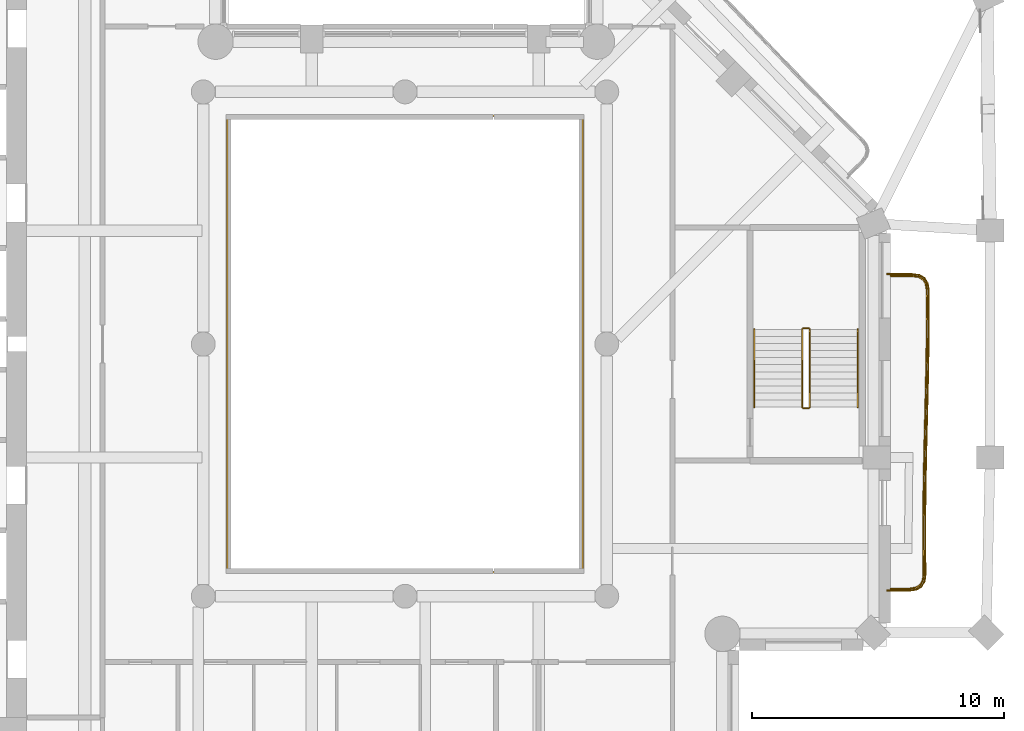
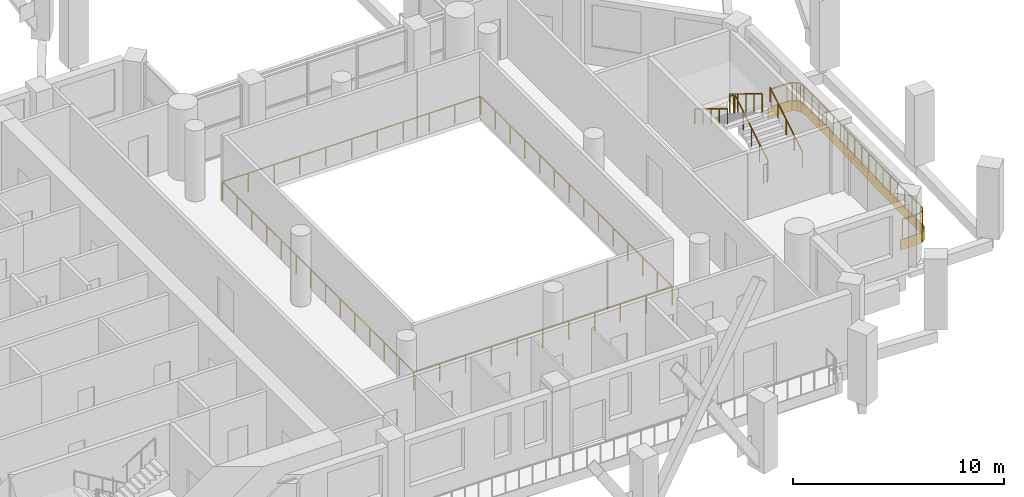
# One storey, part 13 of 15: 8 railings, 1 covering.
"""IFC4 building model written with IfcOpenShell, lengths in metres."""

from ifc_helpers import new_model, si_unit, direction, frame, origin, origin_2d, place, context, subcontext, project, spatial, polyline, rectangle, outline, extrude, material, layer, layer_set, type_object, element, save


model = new_model("IFC4")

# Units and contexts
model_context = context("Model", 3, precision=1e-05, world=origin(), true_north=direction((0.0, 1.0)))
body_context = subcontext(model_context, "Body", "Model", "MODEL_VIEW")
ifc_project = project(units=[si_unit("LENGTHUNIT", "METRE"), si_unit("AREAUNIT", "SQUARE_METRE"), si_unit("VOLUMEUNIT", "CUBIC_METRE"), si_unit("PLANEANGLEUNIT", "RADIAN"), si_unit("MASSUNIT", "GRAM", prefix="KILO")], contexts=[model_context])

# Site, building, storey
site_placement = place(None, origin())
site = spatial("IfcSite", under=ifc_project, at=site_placement, CompositionType="ELEMENT")
building_placement = place(site_placement, origin())
building = spatial("IfcBuilding", under=site, at=building_placement, Name="Cypress Arch Tower", CompositionType="ELEMENT")
storey_placement = place(building_placement, frame((0.0, 0.0, 205.60009765625)))
storey = spatial("IfcBuildingStorey", under=building, at=storey_placement, Name="L45", CompositionType="ELEMENT", Elevation=205.60009765625)

# Railing
ifc_material_1 = material(Name="Stainless steel posts and handrail, laminated glass infill", Category="steel")
railing_type_1 = type_object("IfcRailingType", Name="Atrium guard GR1100A", PredefinedType="GUARDRAIL", material=ifc_material_1)
railing_1_placement = place(storey_placement, frame((8.050048828125, -9.050048828125, 0.0)))
element("IfcRailing", 1, at=railing_1_placement, inside=storey, type_object=railing_type_1, Name="Atrium guard L45", PredefinedType="GUARDRAIL", context=body_context, shape_type="SweptSolid", body=[
    extrude(rectangle(XDim=0.050048828125, YDim=0.050048828125, at=origin_2d()), frame((0.0, 0.0, 1.0751953125), z_axis=(-1.0, 0.0, 0.0), x_axis=(0.0, -1.0, 0.0)), (0.0, 0.0, 1.0), 14.10009765625),
    extrude(rectangle(XDim=0.050048828125, YDim=0.050048828125, at=origin_2d()), frame((-14.10009765625, 0.0, 1.0751953125), z_axis=(0.0, 1.0, 0.0), x_axis=(-1.0, 0.0, 0.0)), (0.0, 0.0, 1.0), 18.10009765625),
    extrude(rectangle(XDim=0.050048828125, YDim=0.050048828125, at=origin_2d()), frame((-14.10009765625, 18.10009765625, 1.0751953125), z_axis=(1.0, 0.0, 0.0), x_axis=(0.0, 1.0, 0.0)), (0.0, 0.0, 1.0), 14.10009765625),
    extrude(rectangle(XDim=0.050048828125, YDim=0.050048828125, at=origin_2d()), frame((0.0, 18.10009765625, 1.0751953125), z_axis=(0.0, -1.0, 0.0), x_axis=(1.0, 0.0, 0.0)), (0.0, 0.0, 1.0), 18.10009765625),
    extrude(rectangle(XDim=0.050048828125, YDim=0.050048828125, at=origin_2d()), origin(), (0.0, 0.0, 1.0), 1.050048828125),
    extrude(rectangle(XDim=0.050048828125, YDim=0.050048828125, at=origin_2d()), frame((-1.409912109375, 0.0, 0.0)), (0.0, 0.0, 1.0), 1.050048828125),
    extrude(rectangle(XDim=0.050048828125, YDim=0.050048828125, at=origin_2d()), frame((-2.820068359375, 0.0, 0.0)), (0.0, 0.0, 1.0), 1.050048828125),
    extrude(rectangle(XDim=0.050048828125, YDim=0.050048828125, at=origin_2d()), frame((-4.22998046875, 0.0, 0.0)), (0.0, 0.0, 1.0), 1.050048828125),
    extrude(rectangle(XDim=0.050048828125, YDim=0.050048828125, at=origin_2d()), frame((-5.64013671875, 0.0, 0.0)), (0.0, 0.0, 1.0), 1.050048828125),
    extrude(rectangle(XDim=0.050048828125, YDim=0.050048828125, at=origin_2d()), frame((-7.050048828125, 0.0, 0.0)), (0.0, 0.0, 1.0), 1.050048828125),
    extrude(rectangle(XDim=0.050048828125, YDim=0.050048828125, at=origin_2d()), frame((-8.4599609375, 0.0, 0.0)), (0.0, 0.0, 1.0), 1.050048828125),
    extrude(rectangle(XDim=0.050048828125, YDim=0.050048828125, at=origin_2d()), frame((-9.8701171875, 0.0, 0.0)), (0.0, 0.0, 1.0), 1.050048828125),
    extrude(rectangle(XDim=0.050048828125, YDim=0.050048828125, at=origin_2d()), frame((-11.280029296875, 0.0, 0.0)), (0.0, 0.0, 1.0), 1.050048828125),
    extrude(rectangle(XDim=0.050048828125, YDim=0.050048828125, at=origin_2d()), frame((-12.690185546875, 0.0, 0.0)), (0.0, 0.0, 1.0), 1.050048828125),
    extrude(rectangle(XDim=0.050048828125, YDim=0.050048828125, at=origin_2d()), frame((-14.10009765625, 0.0, 0.0)), (0.0, 0.0, 1.0), 1.050048828125),
    extrude(rectangle(XDim=0.050048828125, YDim=0.050048828125, at=origin_2d()), frame((-14.10009765625, 1.392333984375, 0.0)), (0.0, 0.0, 1.0), 1.050048828125),
    extrude(rectangle(XDim=0.050048828125, YDim=0.050048828125, at=origin_2d()), frame((-14.10009765625, 2.78466796875, 0.0)), (0.0, 0.0, 1.0), 1.050048828125),
    extrude(rectangle(XDim=0.050048828125, YDim=0.050048828125, at=origin_2d()), frame((-14.10009765625, 4.177001953125, 0.0)), (0.0, 0.0, 1.0), 1.050048828125),
    extrude(rectangle(XDim=0.050048828125, YDim=0.050048828125, at=origin_2d()), frame((-14.10009765625, 5.5693359375, 0.0)), (0.0, 0.0, 1.0), 1.050048828125),
    extrude(rectangle(XDim=0.050048828125, YDim=0.050048828125, at=origin_2d()), frame((-14.10009765625, 6.961669921875, 0.0)), (0.0, 0.0, 1.0), 1.050048828125),
    extrude(rectangle(XDim=0.050048828125, YDim=0.050048828125, at=origin_2d()), frame((-14.10009765625, 8.35400390625, 0.0)), (0.0, 0.0, 1.0), 1.050048828125),
    extrude(rectangle(XDim=0.050048828125, YDim=0.050048828125, at=origin_2d()), frame((-14.10009765625, 9.74609375, 0.0)), (0.0, 0.0, 1.0), 1.050048828125),
    extrude(rectangle(XDim=0.050048828125, YDim=0.050048828125, at=origin_2d()), frame((-14.10009765625, 11.138427734375, 0.0)), (0.0, 0.0, 1.0), 1.050048828125),
    extrude(rectangle(XDim=0.050048828125, YDim=0.050048828125, at=origin_2d()), frame((-14.10009765625, 12.53076171875, 0.0)), (0.0, 0.0, 1.0), 1.050048828125),
    extrude(rectangle(XDim=0.050048828125, YDim=0.050048828125, at=origin_2d()), frame((-14.10009765625, 13.923095703125, 0.0)), (0.0, 0.0, 1.0), 1.050048828125),
    extrude(rectangle(XDim=0.050048828125, YDim=0.050048828125, at=origin_2d()), frame((-14.10009765625, 15.3154296875, 0.0)), (0.0, 0.0, 1.0), 1.050048828125),
    extrude(rectangle(XDim=0.050048828125, YDim=0.050048828125, at=origin_2d()), frame((-14.10009765625, 16.707763671875, 0.0)), (0.0, 0.0, 1.0), 1.050048828125),
    extrude(rectangle(XDim=0.050048828125, YDim=0.050048828125, at=origin_2d()), frame((-14.10009765625, 18.10009765625, 0.0)), (0.0, 0.0, 1.0), 1.050048828125),
    extrude(rectangle(XDim=0.050048828125, YDim=0.050048828125, at=origin_2d()), frame((-12.690185546875, 18.10009765625, 0.0)), (0.0, 0.0, 1.0), 1.050048828125),
    extrude(rectangle(XDim=0.050048828125, YDim=0.050048828125, at=origin_2d()), frame((-11.280029296875, 18.10009765625, 0.0)), (0.0, 0.0, 1.0), 1.050048828125),
    extrude(rectangle(XDim=0.050048828125, YDim=0.050048828125, at=origin_2d()), frame((-9.8701171875, 18.10009765625, 0.0)), (0.0, 0.0, 1.0), 1.050048828125),
    extrude(rectangle(XDim=0.050048828125, YDim=0.050048828125, at=origin_2d()), frame((-8.4599609375, 18.10009765625, 0.0)), (0.0, 0.0, 1.0), 1.050048828125),
    extrude(rectangle(XDim=0.050048828125, YDim=0.050048828125, at=origin_2d()), frame((-7.050048828125, 18.10009765625, 0.0)), (0.0, 0.0, 1.0), 1.050048828125),
    extrude(rectangle(XDim=0.050048828125, YDim=0.050048828125, at=origin_2d()), frame((-5.64013671875, 18.10009765625, 0.0)), (0.0, 0.0, 1.0), 1.050048828125),
    extrude(rectangle(XDim=0.050048828125, YDim=0.050048828125, at=origin_2d()), frame((-4.22998046875, 18.10009765625, 0.0)), (0.0, 0.0, 1.0), 1.050048828125),
    extrude(rectangle(XDim=0.050048828125, YDim=0.050048828125, at=origin_2d()), frame((-2.820068359375, 18.10009765625, 0.0)), (0.0, 0.0, 1.0), 1.050048828125),
    extrude(rectangle(XDim=0.050048828125, YDim=0.050048828125, at=origin_2d()), frame((-1.409912109375, 18.10009765625, 0.0)), (0.0, 0.0, 1.0), 1.050048828125),
    extrude(rectangle(XDim=0.050048828125, YDim=0.050048828125, at=origin_2d()), frame((0.0, 18.10009765625, 0.0)), (0.0, 0.0, 1.0), 1.050048828125),
    extrude(rectangle(XDim=0.050048828125, YDim=0.050048828125, at=origin_2d()), frame((0.0, 16.707763671875, 0.0)), (0.0, 0.0, 1.0), 1.050048828125),
    extrude(rectangle(XDim=0.050048828125, YDim=0.050048828125, at=origin_2d()), frame((0.0, 15.3154296875, 0.0)), (0.0, 0.0, 1.0), 1.050048828125),
    extrude(rectangle(XDim=0.050048828125, YDim=0.050048828125, at=origin_2d()), frame((0.0, 13.923095703125, 0.0)), (0.0, 0.0, 1.0), 1.050048828125),
    extrude(rectangle(XDim=0.050048828125, YDim=0.050048828125, at=origin_2d()), frame((0.0, 12.53076171875, 0.0)), (0.0, 0.0, 1.0), 1.050048828125),
    extrude(rectangle(XDim=0.050048828125, YDim=0.050048828125, at=origin_2d()), frame((0.0, 11.138427734375, 0.0)), (0.0, 0.0, 1.0), 1.050048828125),
    extrude(rectangle(XDim=0.050048828125, YDim=0.050048828125, at=origin_2d()), frame((0.0, 9.74609375, 0.0)), (0.0, 0.0, 1.0), 1.050048828125),
    extrude(rectangle(XDim=0.050048828125, YDim=0.050048828125, at=origin_2d()), frame((0.0, 8.35400390625, 0.0)), (0.0, 0.0, 1.0), 1.050048828125),
    extrude(rectangle(XDim=0.050048828125, YDim=0.050048828125, at=origin_2d()), frame((0.0, 6.961669921875, 0.0)), (0.0, 0.0, 1.0), 1.050048828125),
    extrude(rectangle(XDim=0.050048828125, YDim=0.050048828125, at=origin_2d()), frame((0.0, 5.5693359375, 0.0)), (0.0, 0.0, 1.0), 1.050048828125),
    extrude(rectangle(XDim=0.050048828125, YDim=0.050048828125, at=origin_2d()), frame((0.0, 4.177001953125, 0.0)), (0.0, 0.0, 1.0), 1.050048828125),
    extrude(rectangle(XDim=0.050048828125, YDim=0.050048828125, at=origin_2d()), frame((0.0, 2.78466796875, 0.0)), (0.0, 0.0, 1.0), 1.050048828125),
    extrude(rectangle(XDim=0.050048828125, YDim=0.050048828125, at=origin_2d()), frame((0.0, 1.392333984375, 0.0)), (0.0, 0.0, 1.0), 1.050048828125),
])

# Covering
ifc_material_2 = material(Name="White powder-coated aluminium fascia", Category="aluminium")
ifc_layer = layer(ifc_material_2, 0.050048828125)
ifc_layer_set = layer_set([ifc_layer], Name="Balcony fascia BF50")
covering_type = type_object("IfcCoveringType", Name="Balcony fascia BF50", PredefinedType="CLADDING", material=ifc_layer_set)
covering_placement = place(storey_placement, frame((0.0, 0.0, -0.60009765625)))
element("IfcCovering", 2, at=covering_placement, inside=storey, type_object=covering_type, Name="Balcony fascia L45-B04", PredefinedType="CLADDING", context=body_context, shape_type="SweptSolid", body=[
    extrude(outline(polyline([(21.116455078125, 2.800048828125), (21.403564453125, 2.759033203125), (21.61865234375, 2.63037109375), (21.74853515625, 2.415771484375), (21.790771484375, 2.12890625), (21.79443359375, 1.361083984375), (21.78466796875, -0.0283203125), (21.76025390625, -1.417724609375), (21.727294921875, -2.806884765625), (21.693115234375, -4.195556640625), (21.66552734375, -5.583984375), (21.651123046875, -6.972412109375), (21.6533203125, -8.36083984375), (21.6630859375, -9.1279296875), (21.625732421875, -9.4150390625), (21.49951171875, -9.6298828125), (21.2861328125, -9.759033203125), (20.999755859375, -9.800048828125), (20.10107421875, -9.800048828125), (20.10107421875, -9.75), (20.99609375, -9.75), (21.26904296875, -9.7109375), (21.462890625, -9.59375), (21.57763671875, -9.3984375), (21.613037109375, -9.125), (21.603271484375, -8.361083984375), (21.601318359375, -6.97216796875), (21.615478515625, -5.583251953125), (21.64306640625, -4.1943359375), (21.67724609375, -2.8056640625), (21.710205078125, -1.416748046875), (21.734619140625, -0.02783203125), (21.74462890625, 1.361083984375), (21.740966796875, 2.125), (21.700439453125, 2.3984375), (21.582275390625, 2.59375), (21.386474609375, 2.7109375), (21.11279296875, 2.75), (20.10107421875, 2.75), (20.10107421875, 2.800048828125), (21.116455078125, 2.800048828125)])), origin(), (0.0, 0.0, 1.0), 0.60009765625),
])

# Railings
ifc_material_3 = material(Name="Powder-coated steel posts and rods, 100 mm clear between rods", Category="steel")
railing_type_2 = type_object("IfcRailingType", Name="Balcony guard GR1100", PredefinedType="GUARDRAIL", material=ifc_material_3)
railing_2_placement = place(storey_placement, frame((20.25, 2.699951171875, 0.0)))
element("IfcRailing", 3, at=railing_2_placement, inside=storey, type_object=railing_type_2, Name="Balcony guard L45-B04", PredefinedType="GUARDRAIL", context=body_context, shape_type="SweptSolid", body=[
    extrude(rectangle(XDim=0.050048828125, YDim=0.050048828125, at=origin_2d()), frame((0.0, 0.0, 1.0751953125), z_axis=(1.0, 0.0, 0.0), x_axis=(0.0, 1.0, 0.0)), (0.0, 0.0, 1.0), 0.859375),
    extrude(rectangle(XDim=0.050048828125, YDim=0.050048828125, at=origin_2d()), frame((0.859375, 0.0, 1.0751953125), z_axis=(0.989968076057, -0.141291218367, 0.0), x_axis=(0.141291218367, 0.989968076057, 0.0)), (0.0, 0.0, 1.0), 0.2626953125),
    extrude(rectangle(XDim=0.050048828125, YDim=0.050048828125, at=origin_2d()), frame((1.119384765625, -0.037109375, 1.0751953125), z_axis=(0.857911441451, -0.513797585268, 0.0), x_axis=(0.513797585268, 0.857911441451, 0.0)), (0.0, 0.0, 1.0), 0.205810546875),
    extrude(rectangle(XDim=0.050048828125, YDim=0.050048828125, at=origin_2d()), frame((1.2958984375, -0.142822265625, 1.0751953125), z_axis=(0.518328002936, -0.855181899582, 0.0), x_axis=(0.855181899582, 0.518328002936, 0.0)), (0.0, 0.0, 1.0), 0.205810546875),
    extrude(rectangle(XDim=0.050048828125, YDim=0.050048828125, at=origin_2d()), frame((1.402587890625, -0.31884765625, 1.0751953125), z_axis=(0.145841641141, -0.989307947865, 0.0), x_axis=(0.989307947865, 0.145841641141, 0.0)), (0.0, 0.0, 1.0), 0.262939453125),
    extrude(rectangle(XDim=0.050048828125, YDim=0.050048828125, at=origin_2d()), frame((1.44091796875, -0.578857421875, 1.0751953125), z_axis=(0.004818447115, -0.999988391216, 0.0), x_axis=(0.999988391216, 0.004818447115, 0.0)), (0.0, 0.0, 1.0), 0.760009765625),
    extrude(rectangle(XDim=0.050048828125, YDim=0.050048828125, at=origin_2d()), frame((1.444580078125, -1.3388671875, 1.0751953125), z_axis=(-0.007210505481, -0.999974003967, 0.0), x_axis=(0.999974003967, -0.007210505481, 0.0)), (0.0, 0.0, 1.0), 1.38818359375),
    extrude(rectangle(XDim=0.050048828125, YDim=0.050048828125, at=origin_2d()), frame((1.4345703125, -2.72705078125, 1.0751953125), z_axis=(-0.017405486687, -0.999848513042, 0.0), x_axis=(0.999848513042, -0.017405486687, 0.0)), (0.0, 0.0, 1.0), 1.388671875),
    extrude(rectangle(XDim=0.050048828125, YDim=0.050048828125, at=origin_2d()), frame((1.410400390625, -4.115478515625, 1.0751953125), z_axis=(-0.023898955101, -0.999714379183, 0.0), x_axis=(0.999714379183, -0.023898955101, 0.0)), (0.0, 0.0, 1.0), 1.389404296875),
    extrude(rectangle(XDim=0.050048828125, YDim=0.050048828125, at=origin_2d()), frame((1.377197265625, -5.50439453125, 1.0751953125), z_axis=(-0.024601446196, -0.999697338621, 0.0), x_axis=(0.999697338621, -0.024601446196, 0.0)), (0.0, 0.0, 1.0), 1.389404296875),
    extrude(rectangle(XDim=0.050048828125, YDim=0.050048828125, at=origin_2d()), frame((1.343017578125, -6.893310546875, 1.0751953125), z_axis=(-0.019679843464, -0.999806333127, 0.0), x_axis=(0.999806333127, -0.019679843464, 0.0)), (0.0, 0.0, 1.0), 1.389404296875),
    extrude(rectangle(XDim=0.050048828125, YDim=0.050048828125, at=origin_2d()), frame((1.315673828125, -8.282470703125, 1.0751953125), z_axis=(-0.01036668944, -0.999946264431, 0.0), x_axis=(0.999946264431, -0.01036668944, 0.0)), (0.0, 0.0, 1.0), 1.389404296875),
    extrude(rectangle(XDim=0.050048828125, YDim=0.050048828125, at=origin_2d()), frame((1.30126953125, -9.671875, 1.0751953125), z_axis=(0.001405479989, -0.999999012313, 0.0), x_axis=(0.999999012313, 0.001405479989, 0.0)), (0.0, 0.0, 1.0), 1.3896484375),
    extrude(rectangle(XDim=0.050048828125, YDim=0.050048828125, at=origin_2d()), frame((1.30322265625, -11.0615234375, 1.0751953125), z_axis=(0.012840032917, -0.999917563379, 0.0), x_axis=(0.999917563379, 0.012840032917, 0.0)), (0.0, 0.0, 1.0), 0.760498046875),
    extrude(rectangle(XDim=0.050048828125, YDim=0.050048828125, at=origin_2d()), frame((1.31298828125, -11.822021484375, 1.0751953125), z_axis=(-0.128621927591, -0.991693702583, 0.0), x_axis=(0.991693702583, -0.128621927591, 0.0)), (0.0, 0.0, 1.0), 0.261962890625),
    extrude(rectangle(XDim=0.050048828125, YDim=0.050048828125, at=origin_2d()), frame((1.279296875, -12.081787109375, 1.0751953125), z_axis=(-0.505657995756, -0.862734021195, 0.0), x_axis=(0.862734021195, -0.505657995756, 0.0)), (0.0, 0.0, 1.0), 0.203857421875),
    extrude(rectangle(XDim=0.050048828125, YDim=0.050048828125, at=origin_2d()), frame((1.17626953125, -12.257568359375, 1.0751953125), z_axis=(-0.856114492497, -0.516786199252, 0.0), x_axis=(0.516786199252, -0.856114492497, 0.0)), (0.0, 0.0, 1.0), 0.20361328125),
    extrude(rectangle(XDim=0.050048828125, YDim=0.050048828125, at=origin_2d()), frame((1.001953125, -12.36279296875, 1.0751953125), z_axis=(-0.989912174429, -0.141682345116, 0.0), x_axis=(0.141682345116, -0.989912174429, 0.0)), (0.0, 0.0, 1.0), 0.261962890625),
    extrude(rectangle(XDim=0.050048828125, YDim=0.050048828125, at=origin_2d()), frame((0.74267578125, -12.39990234375, 1.0751953125), z_axis=(-1.0, 0.0, 0.0), x_axis=(0.0, -1.0, 0.0)), (0.0, 0.0, 1.0), 0.74267578125),
    extrude(rectangle(XDim=0.0400390625, YDim=0.0400390625, at=origin_2d()), origin(), (0.0, 0.0, 1.0), 1.050048828125),
    extrude(rectangle(XDim=0.0400390625, YDim=0.0400390625, at=origin_2d()), frame((0.859375, 0.0, 0.0)), (0.0, 0.0, 1.0), 1.050048828125),
    extrude(rectangle(XDim=0.0400390625, YDim=0.0400390625, at=origin_2d()), frame((1.119384765625, -0.037109375, 0.0)), (0.0, 0.0, 1.0), 1.050048828125),
    extrude(rectangle(XDim=0.0400390625, YDim=0.0400390625, at=origin_2d()), frame((1.2958984375, -0.142822265625, 0.0)), (0.0, 0.0, 1.0), 1.050048828125),
    extrude(rectangle(XDim=0.0400390625, YDim=0.0400390625, at=origin_2d()), frame((1.402587890625, -0.31884765625, 0.0)), (0.0, 0.0, 1.0), 1.050048828125),
    extrude(rectangle(XDim=0.0400390625, YDim=0.0400390625, at=origin_2d()), frame((1.44091796875, -0.578857421875, 0.0)), (0.0, 0.0, 1.0), 1.050048828125),
    extrude(rectangle(XDim=0.0400390625, YDim=0.0400390625, at=origin_2d()), frame((1.444580078125, -1.3388671875, 0.0)), (0.0, 0.0, 1.0), 1.050048828125),
    extrude(rectangle(XDim=0.0400390625, YDim=0.0400390625, at=origin_2d()), frame((1.439453125, -2.032958984375, 0.0)), (0.0, 0.0, 1.0), 1.050048828125),
    extrude(rectangle(XDim=0.0400390625, YDim=0.0400390625, at=origin_2d()), frame((1.4345703125, -2.72705078125, 0.0)), (0.0, 0.0, 1.0), 1.050048828125),
    extrude(rectangle(XDim=0.0400390625, YDim=0.0400390625, at=origin_2d()), frame((1.42236328125, -3.42138671875, 0.0)), (0.0, 0.0, 1.0), 1.050048828125),
    extrude(rectangle(XDim=0.0400390625, YDim=0.0400390625, at=origin_2d()), frame((1.410400390625, -4.115478515625, 0.0)), (0.0, 0.0, 1.0), 1.050048828125),
    extrude(rectangle(XDim=0.0400390625, YDim=0.0400390625, at=origin_2d()), frame((1.393798828125, -4.81005859375, 0.0)), (0.0, 0.0, 1.0), 1.050048828125),
    extrude(rectangle(XDim=0.0400390625, YDim=0.0400390625, at=origin_2d()), frame((1.377197265625, -5.50439453125, 0.0)), (0.0, 0.0, 1.0), 1.050048828125),
    extrude(rectangle(XDim=0.0400390625, YDim=0.0400390625, at=origin_2d()), frame((1.360107421875, -6.19873046875, 0.0)), (0.0, 0.0, 1.0), 1.050048828125),
    extrude(rectangle(XDim=0.0400390625, YDim=0.0400390625, at=origin_2d()), frame((1.343017578125, -6.893310546875, 0.0)), (0.0, 0.0, 1.0), 1.050048828125),
    extrude(rectangle(XDim=0.0400390625, YDim=0.0400390625, at=origin_2d()), frame((1.329345703125, -7.587890625, 0.0)), (0.0, 0.0, 1.0), 1.050048828125),
    extrude(rectangle(XDim=0.0400390625, YDim=0.0400390625, at=origin_2d()), frame((1.315673828125, -8.282470703125, 0.0)), (0.0, 0.0, 1.0), 1.050048828125),
    extrude(rectangle(XDim=0.0400390625, YDim=0.0400390625, at=origin_2d()), frame((1.30859375, -8.97705078125, 0.0)), (0.0, 0.0, 1.0), 1.050048828125),
    extrude(rectangle(XDim=0.0400390625, YDim=0.0400390625, at=origin_2d()), frame((1.30126953125, -9.671875, 0.0)), (0.0, 0.0, 1.0), 1.050048828125),
    extrude(rectangle(XDim=0.0400390625, YDim=0.0400390625, at=origin_2d()), frame((1.30224609375, -10.36669921875, 0.0)), (0.0, 0.0, 1.0), 1.050048828125),
    extrude(rectangle(XDim=0.0400390625, YDim=0.0400390625, at=origin_2d()), frame((1.30322265625, -11.0615234375, 0.0)), (0.0, 0.0, 1.0), 1.050048828125),
    extrude(rectangle(XDim=0.0400390625, YDim=0.0400390625, at=origin_2d()), frame((1.31298828125, -11.822021484375, 0.0)), (0.0, 0.0, 1.0), 1.050048828125),
    extrude(rectangle(XDim=0.0400390625, YDim=0.0400390625, at=origin_2d()), frame((1.279296875, -12.081787109375, 0.0)), (0.0, 0.0, 1.0), 1.050048828125),
    extrude(rectangle(XDim=0.0400390625, YDim=0.0400390625, at=origin_2d()), frame((1.17626953125, -12.257568359375, 0.0)), (0.0, 0.0, 1.0), 1.050048828125),
    extrude(rectangle(XDim=0.0400390625, YDim=0.0400390625, at=origin_2d()), frame((1.001953125, -12.36279296875, 0.0)), (0.0, 0.0, 1.0), 1.050048828125),
    extrude(rectangle(XDim=0.0400390625, YDim=0.0400390625, at=origin_2d()), frame((0.74267578125, -12.39990234375, 0.0)), (0.0, 0.0, 1.0), 1.050048828125),
    extrude(rectangle(XDim=0.0400390625, YDim=0.0400390625, at=origin_2d()), frame((0.0, -12.39990234375, 0.0)), (0.0, 0.0, 1.0), 1.050048828125),
])
ifc_material_4 = material(Name="Black powder-coated steel square bar 48 mm", Category="steel")
railing_type_3 = type_object("IfcRailingType", Name="Stair handrail HR1", PredefinedType="HANDRAIL", material=ifc_material_4)
railing_3_placement = place(storey_placement, frame((18.949951171875, -2.5, 0.170654296875)))
element("IfcRailing", 4, at=railing_3_placement, inside=storey, type_object=railing_type_3, Name="L45 C stair handrail 1", PredefinedType="HANDRAIL", context=body_context, shape_type="SweptSolid", body=[
    extrude(rectangle(XDim=0.048095703125, YDim=0.048095703125, at=origin_2d()), frame((0.0, 0.0, 0.8759765625), z_axis=(0.0, 0.853666305674, 0.52082035152), x_axis=(-1.0, 0.0, 0.0)), (0.0, 0.0, 1.0), 3.608154296875),
    extrude(rectangle(XDim=0.0419921875, YDim=0.0419921875, at=origin_2d()), origin(), (0.0, 0.0, 1.0), 0.851806640625),
    extrude(rectangle(XDim=0.0419921875, YDim=0.0419921875, at=origin_2d()), frame((0.0, 0.77001953125, 0.4697265625)), (0.0, 0.0, 1.0), 0.851806640625),
    extrude(rectangle(XDim=0.0419921875, YDim=0.0419921875, at=origin_2d()), frame((0.0, 1.5400390625, 0.939453125)), (0.0, 0.0, 1.0), 0.851806640625),
    extrude(rectangle(XDim=0.0419921875, YDim=0.0419921875, at=origin_2d()), frame((0.0, 2.31005859375, 1.409423828125)), (0.0, 0.0, 1.0), 0.851806640625),
    extrude(rectangle(XDim=0.0419921875, YDim=0.0419921875, at=origin_2d()), frame((0.0, 3.080078125, 1.879150390625)), (0.0, 0.0, 1.0), 0.851806640625),
])
railing_4_placement = place(storey_placement, frame((14.85009765625, 0.580078125, 2.220703125)))
element("IfcRailing", 5, at=railing_4_placement, inside=storey, type_object=railing_type_3, Name="L45 C stair handrail 2", PredefinedType="HANDRAIL", context=body_context, shape_type="SweptSolid", body=[
    extrude(rectangle(XDim=0.048095703125, YDim=0.048095703125, at=origin_2d()), frame((0.0, 0.0, 0.8759765625), z_axis=(0.0, -0.853666305674, 0.52082035152), x_axis=(1.0, 0.0, 0.0)), (0.0, 0.0, 1.0), 3.608154296875),
    extrude(rectangle(XDim=0.0419921875, YDim=0.0419921875, at=origin_2d()), origin(), (0.0, 0.0, 1.0), 0.851806640625),
    extrude(rectangle(XDim=0.0419921875, YDim=0.0419921875, at=origin_2d()), frame((0.0, -0.77001953125, 0.4697265625)), (0.0, 0.0, 1.0), 0.851806640625),
    extrude(rectangle(XDim=0.0419921875, YDim=0.0419921875, at=origin_2d()), frame((0.0, -1.5400390625, 0.939453125)), (0.0, 0.0, 1.0), 0.851806640625),
    extrude(rectangle(XDim=0.0419921875, YDim=0.0419921875, at=origin_2d()), frame((0.0, -2.31005859375, 1.409423828125)), (0.0, 0.0, 1.0), 0.851806640625),
    extrude(rectangle(XDim=0.0419921875, YDim=0.0419921875, at=origin_2d()), frame((0.0, -3.080078125, 1.879150390625)), (0.0, 0.0, 1.0), 0.851806640625),
])
ifc_material_5 = material(Name="Black powder-coated steel balusters", Category="steel")
railing_type_4 = type_object("IfcRailingType", Name="Stair well guard G1", PredefinedType="GUARDRAIL", material=ifc_material_5)
railing_5_placement = place(storey_placement, frame((17.050048828125, -2.5, 0.170654296875)))
element("IfcRailing", 6, at=railing_5_placement, inside=storey, type_object=railing_type_4, Name="L45 C stair guard 1", PredefinedType="GUARDRAIL", context=body_context, shape_type="SweptSolid", body=[
    extrude(rectangle(XDim=0.048095703125, YDim=0.048095703125, at=origin_2d()), frame((0.0, 0.0, 1.076171875), z_axis=(0.0, 0.853666305674, 0.52082035152), x_axis=(-1.0, 0.0, 0.0)), (0.0, 0.0, 1.0), 3.608154296875),
    extrude(rectangle(XDim=0.0419921875, YDim=0.0419921875, at=origin_2d()), origin(), (0.0, 0.0, 1.0), 1.052001953125),
    extrude(rectangle(XDim=0.0419921875, YDim=0.0419921875, at=origin_2d()), frame((0.0, 0.77001953125, 0.4697265625)), (0.0, 0.0, 1.0), 1.052001953125),
    extrude(rectangle(XDim=0.0419921875, YDim=0.0419921875, at=origin_2d()), frame((0.0, 1.5400390625, 0.939453125)), (0.0, 0.0, 1.0), 1.052001953125),
    extrude(rectangle(XDim=0.0419921875, YDim=0.0419921875, at=origin_2d()), frame((0.0, 2.31005859375, 1.409423828125)), (0.0, 0.0, 1.0), 1.052001953125),
    extrude(rectangle(XDim=0.0419921875, YDim=0.0419921875, at=origin_2d()), frame((0.0, 3.080078125, 1.879150390625)), (0.0, 0.0, 1.0), 1.052001953125),
])
railing_6_placement = place(storey_placement, frame((17.0, 0.6298828125, 2.0498046875)))
element("IfcRailing", 7, at=railing_6_placement, inside=storey, type_object=railing_type_4, Name="L45 C stair guard 2", PredefinedType="GUARDRAIL", context=body_context, shape_type="SweptSolid", body=[
    extrude(rectangle(XDim=0.048095703125, YDim=0.048095703125, at=origin_2d()), frame((0.0, 0.0, 1.076171875), z_axis=(-1.0, 0.0, 0.0), x_axis=(0.0, -1.0, 0.0)), (0.0, 0.0, 1.0), 0.199951171875),
    extrude(rectangle(XDim=0.0419921875, YDim=0.0419921875, at=origin_2d()), origin(), (0.0, 0.0, 1.0), 1.052001953125),
    extrude(rectangle(XDim=0.0419921875, YDim=0.0419921875, at=origin_2d()), frame((-0.199951171875, 0.0, 0.0)), (0.0, 0.0, 1.0), 1.052001953125),
])
railing_7_placement = place(storey_placement, frame((16.75, 0.580078125, 2.220703125)))
element("IfcRailing", 8, at=railing_7_placement, inside=storey, type_object=railing_type_4, Name="L45 C stair guard 3", PredefinedType="GUARDRAIL", context=body_context, shape_type="SweptSolid", body=[
    extrude(rectangle(XDim=0.048095703125, YDim=0.048095703125, at=origin_2d()), frame((0.0, 0.0, 1.076171875), z_axis=(0.0, -0.853666305674, 0.52082035152), x_axis=(1.0, 0.0, 0.0)), (0.0, 0.0, 1.0), 3.608154296875),
    extrude(rectangle(XDim=0.0419921875, YDim=0.0419921875, at=origin_2d()), origin(), (0.0, 0.0, 1.0), 1.052001953125),
    extrude(rectangle(XDim=0.0419921875, YDim=0.0419921875, at=origin_2d()), frame((0.0, -0.77001953125, 0.4697265625)), (0.0, 0.0, 1.0), 1.052001953125),
    extrude(rectangle(XDim=0.0419921875, YDim=0.0419921875, at=origin_2d()), frame((0.0, -1.5400390625, 0.939453125)), (0.0, 0.0, 1.0), 1.052001953125),
    extrude(rectangle(XDim=0.0419921875, YDim=0.0419921875, at=origin_2d()), frame((0.0, -2.31005859375, 1.409423828125)), (0.0, 0.0, 1.0), 1.052001953125),
    extrude(rectangle(XDim=0.0419921875, YDim=0.0419921875, at=origin_2d()), frame((0.0, -3.080078125, 1.879150390625)), (0.0, 0.0, 1.0), 1.052001953125),
])
railing_8_placement = place(storey_placement, frame((17.0, -2.550048828125, 0.0)))
element("IfcRailing", 9, at=railing_8_placement, inside=storey, type_object=railing_type_4, Name="L45 C stair guard 4", PredefinedType="GUARDRAIL", context=body_context, shape_type="SweptSolid", body=[
    extrude(rectangle(XDim=0.048095703125, YDim=0.048095703125, at=origin_2d()), frame((0.0, 0.0, 1.076171875), z_axis=(-1.0, 0.0, 0.0), x_axis=(0.0, -1.0, 0.0)), (0.0, 0.0, 1.0), 0.199951171875),
    extrude(rectangle(XDim=0.0419921875, YDim=0.0419921875, at=origin_2d()), origin(), (0.0, 0.0, 1.0), 1.052001953125),
    extrude(rectangle(XDim=0.0419921875, YDim=0.0419921875, at=origin_2d()), frame((-0.199951171875, 0.0, 0.0)), (0.0, 0.0, 1.0), 1.052001953125),
])

save(model, "model.ifc")
